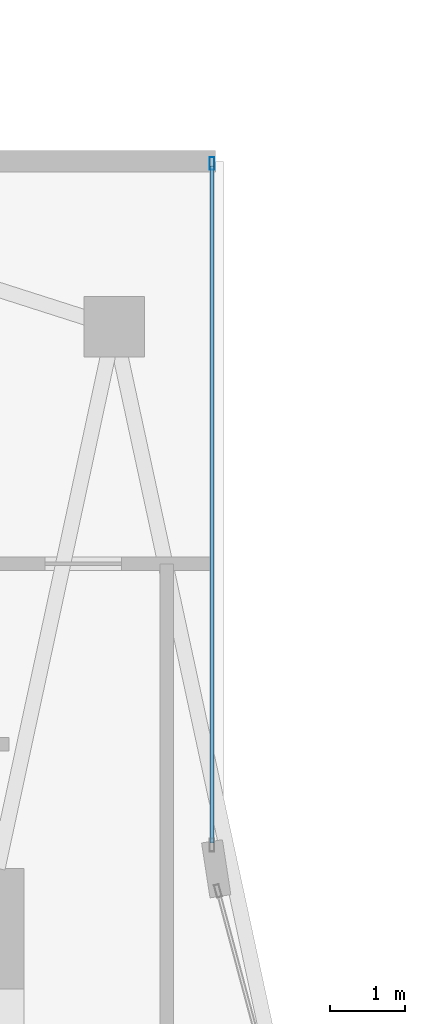
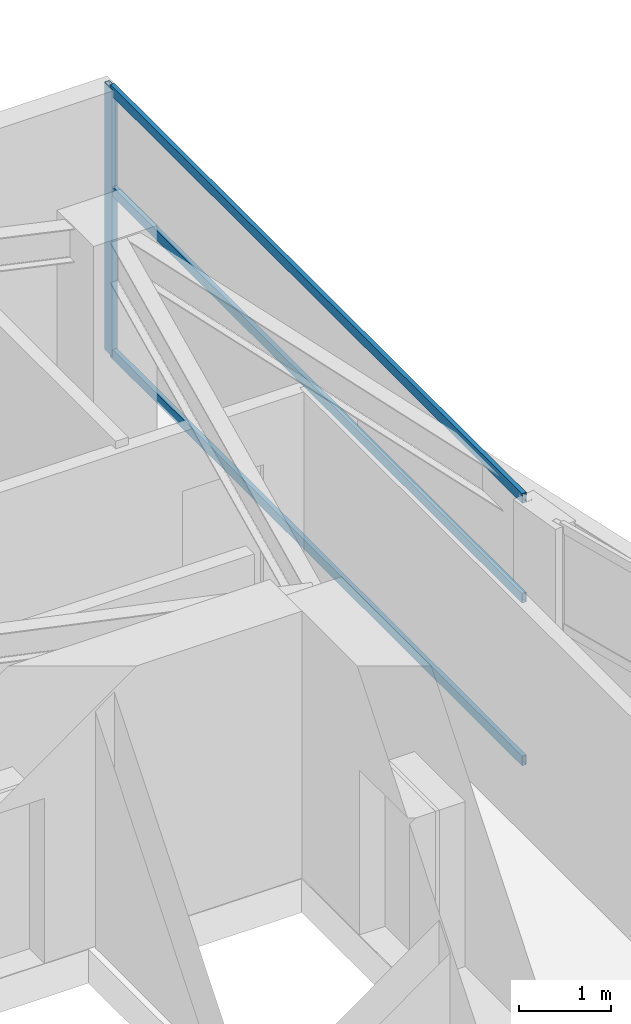
# One storey, part 20 of 28: 4 members, 1 element without a shape of its own.
"""IFC4 building model written with IfcOpenShell, lengths in metres."""

from ifc_helpers import new_model, si_unit, direction, frame, origin, origin_2d, place, context, subcontext, project, spatial, hollow_rectangle, extrude, material, layer, layer_set, material_profile, profile_set, type_object, element, aggregate, save


model = new_model("IFC4")

# Units and contexts
model_context = context("Model", 3, precision=1e-05, world=origin(), true_north=direction((0.0, 1.0)))
body_context = subcontext(model_context, "Body", "Model", "MODEL_VIEW")
ifc_project = project(units=[si_unit("LENGTHUNIT", "METRE"), si_unit("AREAUNIT", "SQUARE_METRE"), si_unit("VOLUMEUNIT", "CUBIC_METRE"), si_unit("PLANEANGLEUNIT", "RADIAN"), si_unit("MASSUNIT", "GRAM", prefix="KILO")], contexts=[model_context])

# Site, building, storey
site_placement = place(None, origin())
site = spatial("IfcSite", under=ifc_project, at=site_placement, CompositionType="ELEMENT")
building_placement = place(site_placement, origin())
building = spatial("IfcBuilding", under=site, at=building_placement, Name="Calvorn Quay Hotel", CompositionType="ELEMENT")
storey_placement = place(building_placement, frame((0.0, 0.0, 263.5)))
storey = spatial("IfcBuildingStorey", under=building, at=storey_placement, Name="L65", CompositionType="ELEMENT", Elevation=263.5)

# Curtain wall, members
ifc_material_1 = material(Name="Champagne Bronze Anodised Aluminium and Low-E Glass", Category="aluminium")
ifc_layer = layer(ifc_material_1, 0.219970703125)
ifc_layer_set = layer_set([ifc_layer], Name="CW-SYS-Z4")
curtain_wall_type = type_object("IfcCurtainWallType", Name="CW-SYS-Z4", PredefinedType="NOTDEFINED", material=ifc_layer_set)
curtain_wall_placement = place(storey_placement, origin())
curtain_wall = element("IfcCurtainWall", 1, at=curtain_wall_placement, inside=storey, type_object=curtain_wall_type, Name="Inner Court Curtain Wall L65-IC2", PredefinedType="NOTDEFINED")
ifc_material_2 = material(Name="Champagne Bronze Anodised Aluminium 6063-T6", Category="aluminium")
ifc_material_profile_1 = material_profile(ifc_material_2, hollow_rectangle(XDim=0.06494140625, YDim=0.169921875, WallThickness=0.00341796875, at=origin_2d()), Name="ALU-M170x65x3.5")
ifc_profile_set_1 = profile_set([ifc_material_profile_1], Name="Champagne Bronze Anodised Aluminium 6063-T6")
member_type_1 = type_object("IfcMemberType", Name="CW-SYS-Z4-MUL", PredefinedType="MULLION", material=ifc_profile_set_1)
member_1_placement = place(storey_placement, frame((17.85009765625, 47.77001953125, 0.0), z_axis=(0.0, 0.0, 1.0), x_axis=(-1.0, 0.0, 0.0)))
member_1 = element("IfcMember", 2, at=member_1_placement, type_object=member_type_1, Name="CW-L65-IC2 mullion 2", PredefinedType="MULLION", context=body_context, shape_type="SweptSolid", body=[
    extrude(hollow_rectangle(XDim=0.06494140625, YDim=0.169921875, WallThickness=0.00341796875, at=origin_2d()), origin(), (0.0, 0.0, 1.0), 3.56005859375),
])
ifc_material_3 = material(Name="Champagne Bronze Anodised Aluminium 6063-T6", Category="aluminium")
ifc_material_profile_2 = material_profile(ifc_material_3, hollow_rectangle(XDim=0.054931640625, YDim=0.1298828125, WallThickness=0.003173828125, at=origin_2d()), Name="ALU-T130x55x3.2")
ifc_profile_set_2 = profile_set([ifc_material_profile_2], Name="Champagne Bronze Anodised Aluminium 6063-T6")
member_type_2 = type_object("IfcMemberType", Name="CW-SYS-Z4-TRN", PredefinedType="USERDEFINED", material=ifc_profile_set_2)
member_2_placement = place(storey_placement, frame((17.85009765625, 38.739990234375, 0.030029296875), z_axis=(0.0, 1.0, 0.0), x_axis=(-1.0, 0.0, 0.0)))
member_2 = element("IfcMember", 3, at=member_2_placement, type_object=member_type_2, Name="CW-L65-IC2 transom 1.1", ObjectType="TRANSOM", PredefinedType="USERDEFINED", context=body_context, shape_type="SweptSolid", body=[
    extrude(hollow_rectangle(XDim=0.054931640625, YDim=0.1298828125, WallThickness=0.003173828125, at=origin_2d()), origin(), (0.0, 0.0, 1.0), 9.0),
])
member_3_placement = place(storey_placement, frame((17.85009765625, 38.739990234375, 2.199951171875), z_axis=(0.0, 1.0, 0.0), x_axis=(-1.0, 0.0, 0.0)))
member_3 = element("IfcMember", 4, at=member_3_placement, type_object=member_type_2, Name="CW-L65-IC2 transom 1.2", ObjectType="TRANSOM", PredefinedType="USERDEFINED", context=body_context, shape_type="SweptSolid", body=[
    extrude(hollow_rectangle(XDim=0.054931640625, YDim=0.1298828125, WallThickness=0.003173828125, at=origin_2d()), origin(), (0.0, 0.0, 1.0), 9.0),
])
member_4_placement = place(storey_placement, frame((17.85009765625, 38.739990234375, 3.530029296875), z_axis=(0.0, 1.0, 0.0), x_axis=(-1.0, 0.0, 0.0)))
member_4 = element("IfcMember", 5, at=member_4_placement, type_object=member_type_2, Name="CW-L65-IC2 transom 1.3", ObjectType="TRANSOM", PredefinedType="USERDEFINED", context=body_context, shape_type="SweptSolid", body=[
    extrude(hollow_rectangle(XDim=0.054931640625, YDim=0.1298828125, WallThickness=0.003173828125, at=origin_2d()), origin(), (0.0, 0.0, 1.0), 9.0),
])
aggregate(curtain_wall, [member_1, member_2, member_3, member_4])

save(model, "model.ifc")
